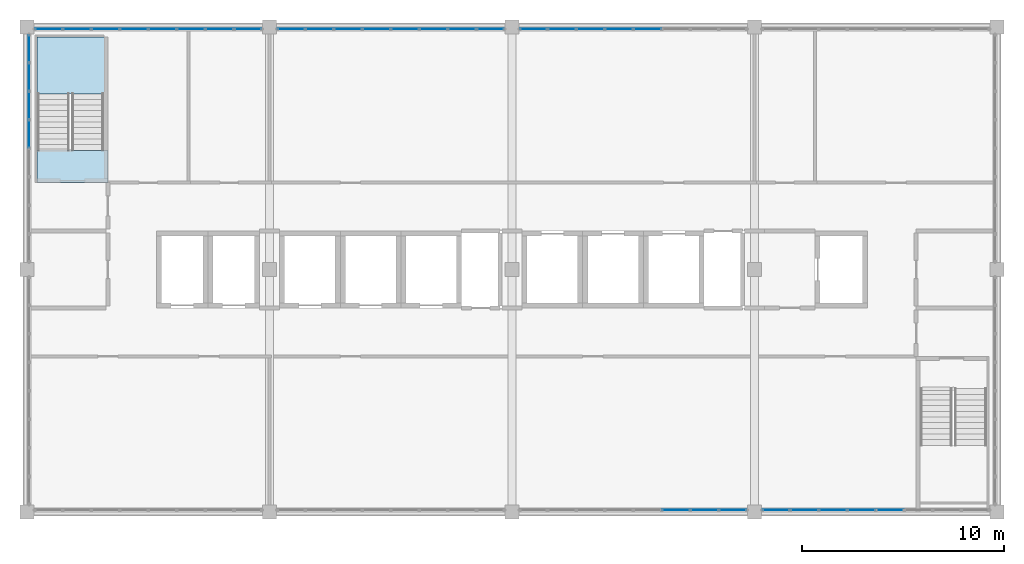
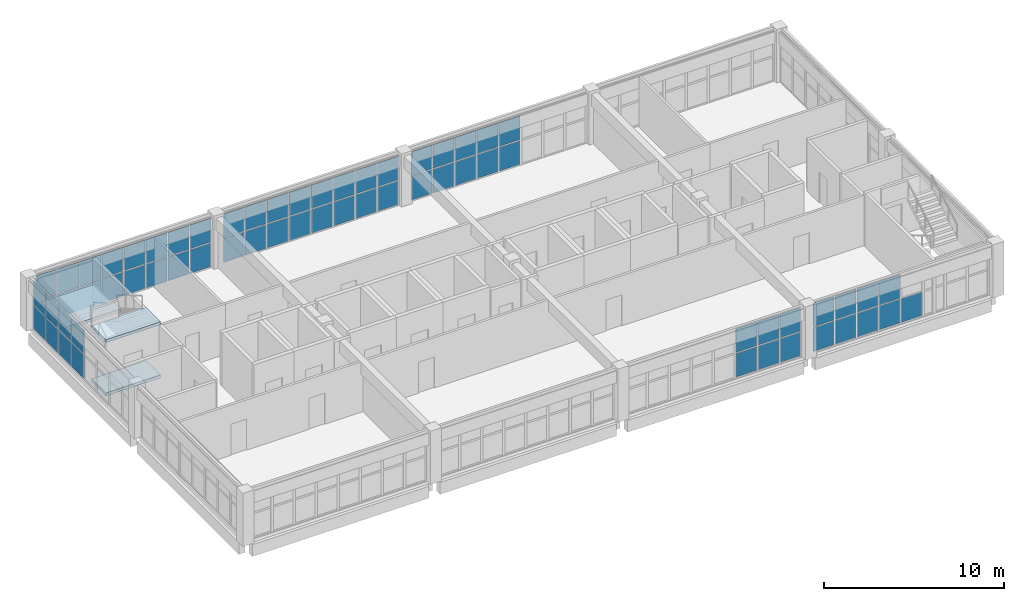
# One storey, part 11 of 16: 65 plates, 3 slabs, 7 elements without a shape of their own.
"""IFC4 building model written with IfcOpenShell, lengths in metres."""

from ifc_helpers import new_model, si_unit, direction, frame, origin, origin_2d, place, context, subcontext, project, spatial, polyline, rectangle, outline, extrude, material, layer, layer_set, type_object, element, aggregate, save


model = new_model("IFC4")

# Units and contexts
model_context = context("Model", 3, precision=1e-05, world=origin(), true_north=direction((0.0, 1.0)))
body_context = subcontext(model_context, "Body", "Model", "MODEL_VIEW")
ifc_project = project(units=[si_unit("LENGTHUNIT", "METRE"), si_unit("AREAUNIT", "SQUARE_METRE"), si_unit("VOLUMEUNIT", "CUBIC_METRE"), si_unit("PLANEANGLEUNIT", "RADIAN"), si_unit("MASSUNIT", "GRAM", prefix="KILO")], contexts=[model_context])

# Site, building, storey
site_placement = place(None, origin())
site = spatial("IfcSite", under=ifc_project, at=site_placement, CompositionType="ELEMENT")
building_placement = place(site_placement, origin())
building = spatial("IfcBuilding", under=site, at=building_placement, Name="Lilac Gate Convention Centre", CompositionType="ELEMENT")
storey_placement = place(building_placement, frame((0.0, 0.0, 67.800048828125)))
storey = spatial("IfcBuildingStorey", under=building, at=storey_placement, Name="L17", CompositionType="ELEMENT", Elevation=67.800048828125)

# Curtain wall, plates
ifc_material_1 = material(Name="Aluminium framed double glazing", Category="aluminium")
ifc_layer_1 = layer(ifc_material_1, 0.199951171875)
ifc_layer_set_1 = layer_set([ifc_layer_1], Name="Aluminium framed double glazing")
curtain_wall_type = type_object("IfcCurtainWallType", Name="Unitised curtain wall 1500", PredefinedType="NOTDEFINED", material=ifc_layer_set_1)
curtain_wall_1_placement = place(storey_placement, origin())
curtain_wall_1 = element("IfcCurtainWall", 1, at=curtain_wall_1_placement, inside=storey, type_object=curtain_wall_type, Name="Curtain wall S L17 3", PredefinedType="NOTDEFINED")
ifc_material_2 = material(Name="Double glazed unit low emissivity")
ifc_layer_2 = layer(ifc_material_2, 0.028076171875)
ifc_layer_set_2 = layer_set([ifc_layer_2], Name="Double glazed unit low emissivity")
plate_type_1 = type_object("IfcPlateType", Name="Curtain wall glass panel 28", PredefinedType="CURTAIN_PANEL", material=ifc_layer_set_2)
plate_1_placement = place(storey_placement, frame((74.11865234375, 222.10009765625, 1.72998046875), z_axis=(0.0, 0.0, 1.0), x_axis=(1.0, 0.0, 0.0)))
plate_1 = element("IfcPlate", 2, at=plate_1_placement, type_object=plate_type_1, Name="CW panel 6.2", PredefinedType="CURTAIN_PANEL", context=body_context, shape_type="SweptSolid", body=[
    extrude(rectangle(XDim=1.3525390625, YDim=0.028076171875, at=origin_2d()), origin(), (0.0, 0.0, 1.0), 1.60986328125),
])
plate_2_placement = place(storey_placement, frame((75.53125, 222.10009765625, 1.72998046875), z_axis=(0.0, 0.0, 1.0), x_axis=(1.0, 0.0, 0.0)))
plate_2 = element("IfcPlate", 3, at=plate_2_placement, type_object=plate_type_1, Name="CW panel 7.2", PredefinedType="CURTAIN_PANEL", context=body_context, shape_type="SweptSolid", body=[
    extrude(rectangle(XDim=1.3525390625, YDim=0.028076171875, at=origin_2d()), origin(), (0.0, 0.0, 1.0), 1.60986328125),
])
plate_3_placement = place(storey_placement, frame((76.9287109375, 222.10009765625, 1.72998046875), z_axis=(0.0, 0.0, 1.0), x_axis=(1.0, 0.0, 0.0)))
plate_3 = element("IfcPlate", 4, at=plate_3_placement, type_object=plate_type_1, Name="CW panel 8.2", PredefinedType="CURTAIN_PANEL", context=body_context, shape_type="SweptSolid", body=[
    extrude(rectangle(XDim=1.322509765625, YDim=0.028076171875, at=origin_2d()), origin(), (0.0, 0.0, 1.0), 1.60986328125),
])

curtain_wall_2_placement = place(storey_placement, origin())
curtain_wall_2 = element("IfcCurtainWall", 5, at=curtain_wall_2_placement, inside=storey, type_object=curtain_wall_type, Name="Curtain wall S L17 4", PredefinedType="NOTDEFINED")
plate_4_placement = place(storey_placement, frame((79.0712890625, 222.10009765625, 1.72998046875), z_axis=(0.0, 0.0, 1.0), x_axis=(1.0, 0.0, 0.0)))
plate_4 = element("IfcPlate", 6, at=plate_4_placement, type_object=plate_type_1, Name="CW panel 1.2", PredefinedType="CURTAIN_PANEL", context=body_context, shape_type="SweptSolid", body=[
    extrude(rectangle(XDim=1.322509765625, YDim=0.028076171875, at=origin_2d()), origin(), (0.0, 0.0, 1.0), 1.60986328125),
])
plate_5_placement = place(storey_placement, frame((80.46875, 222.10009765625, 1.72998046875), z_axis=(0.0, 0.0, 1.0), x_axis=(1.0, 0.0, 0.0)))
plate_5 = element("IfcPlate", 7, at=plate_5_placement, type_object=plate_type_1, Name="CW panel 2.2", PredefinedType="CURTAIN_PANEL", context=body_context, shape_type="SweptSolid", body=[
    extrude(rectangle(XDim=1.3525390625, YDim=0.028076171875, at=origin_2d()), origin(), (0.0, 0.0, 1.0), 1.60986328125),
])
plate_6_placement = place(storey_placement, frame((81.88134765625, 222.10009765625, 1.72998046875), z_axis=(0.0, 0.0, 1.0), x_axis=(1.0, 0.0, 0.0)))
plate_6 = element("IfcPlate", 8, at=plate_6_placement, type_object=plate_type_1, Name="CW panel 3.2", PredefinedType="CURTAIN_PANEL", context=body_context, shape_type="SweptSolid", body=[
    extrude(rectangle(XDim=1.3525390625, YDim=0.028076171875, at=origin_2d()), origin(), (0.0, 0.0, 1.0), 1.60986328125),
])
plate_7_placement = place(storey_placement, frame((83.293701171875, 222.10009765625, 1.72998046875), z_axis=(0.0, 0.0, 1.0), x_axis=(1.0, 0.0, 0.0)))
plate_7 = element("IfcPlate", 9, at=plate_7_placement, type_object=plate_type_1, Name="CW panel 4.2", PredefinedType="CURTAIN_PANEL", context=body_context, shape_type="SweptSolid", body=[
    extrude(rectangle(XDim=1.3525390625, YDim=0.028076171875, at=origin_2d()), origin(), (0.0, 0.0, 1.0), 1.60986328125),
])

curtain_wall_3_placement = place(storey_placement, origin())
curtain_wall_3 = element("IfcCurtainWall", 10, at=curtain_wall_3_placement, inside=storey, type_object=curtain_wall_type, Name="Curtain wall N L17 2", PredefinedType="NOTDEFINED")
plate_8_placement = place(storey_placement, frame((72.706298828125, 245.89990234375, 1.72998046875), z_axis=(0.0, 0.0, 1.0), x_axis=(-1.0, 0.0, 0.0)))
plate_8 = element("IfcPlate", 11, at=plate_8_placement, type_object=plate_type_1, Name="CW panel 4.2", PredefinedType="CURTAIN_PANEL", context=body_context, shape_type="SweptSolid", body=[
    extrude(rectangle(XDim=1.3525390625, YDim=0.028076171875, at=origin_2d()), origin(), (0.0, 0.0, 1.0), 1.60986328125),
])
plate_9_placement = place(storey_placement, frame((71.293701171875, 245.89990234375, 1.72998046875), z_axis=(0.0, 0.0, 1.0), x_axis=(-1.0, 0.0, 0.0)))
plate_9 = element("IfcPlate", 12, at=plate_9_placement, type_object=plate_type_1, Name="CW panel 5.2", PredefinedType="CURTAIN_PANEL", context=body_context, shape_type="SweptSolid", body=[
    extrude(rectangle(XDim=1.3525390625, YDim=0.028076171875, at=origin_2d()), origin(), (0.0, 0.0, 1.0), 1.60986328125),
])
plate_10_placement = place(storey_placement, frame((69.88134765625, 245.89990234375, 1.72998046875), z_axis=(0.0, 0.0, 1.0), x_axis=(-1.0, 0.0, 0.0)))
plate_10 = element("IfcPlate", 13, at=plate_10_placement, type_object=plate_type_1, Name="CW panel 6.2", PredefinedType="CURTAIN_PANEL", context=body_context, shape_type="SweptSolid", body=[
    extrude(rectangle(XDim=1.3525390625, YDim=0.028076171875, at=origin_2d()), origin(), (0.0, 0.0, 1.0), 1.60986328125),
])
plate_11_placement = place(storey_placement, frame((68.46875, 245.89990234375, 1.72998046875), z_axis=(0.0, 0.0, 1.0), x_axis=(-1.0, 0.0, 0.0)))
plate_11 = element("IfcPlate", 14, at=plate_11_placement, type_object=plate_type_1, Name="CW panel 7.2", PredefinedType="CURTAIN_PANEL", context=body_context, shape_type="SweptSolid", body=[
    extrude(rectangle(XDim=1.3525390625, YDim=0.028076171875, at=origin_2d()), origin(), (0.0, 0.0, 1.0), 1.60986328125),
])
plate_12_placement = place(storey_placement, frame((67.0712890625, 245.89990234375, 1.72998046875), z_axis=(0.0, 0.0, 1.0), x_axis=(-1.0, 0.0, 0.0)))
plate_12 = element("IfcPlate", 15, at=plate_12_placement, type_object=plate_type_1, Name="CW panel 8.2", PredefinedType="CURTAIN_PANEL", context=body_context, shape_type="SweptSolid", body=[
    extrude(rectangle(XDim=1.322509765625, YDim=0.028076171875, at=origin_2d()), origin(), (0.0, 0.0, 1.0), 1.60986328125),
])

curtain_wall_4_placement = place(storey_placement, origin())
curtain_wall_4 = element("IfcCurtainWall", 16, at=curtain_wall_4_placement, inside=storey, type_object=curtain_wall_type, Name="Curtain wall N L17 3", PredefinedType="NOTDEFINED")
plate_13_placement = place(storey_placement, frame((64.9287109375, 245.89990234375, 1.72998046875), z_axis=(0.0, 0.0, 1.0), x_axis=(-1.0, 0.0, 0.0)))
plate_13 = element("IfcPlate", 17, at=plate_13_placement, type_object=plate_type_1, Name="CW panel 1.2", PredefinedType="CURTAIN_PANEL", context=body_context, shape_type="SweptSolid", body=[
    extrude(rectangle(XDim=1.322509765625, YDim=0.028076171875, at=origin_2d()), origin(), (0.0, 0.0, 1.0), 1.60986328125),
])
plate_14_placement = place(storey_placement, frame((63.53125, 245.89990234375, 1.72998046875), z_axis=(0.0, 0.0, 1.0), x_axis=(-1.0, 0.0, 0.0)))
plate_14 = element("IfcPlate", 18, at=plate_14_placement, type_object=plate_type_1, Name="CW panel 2.2", PredefinedType="CURTAIN_PANEL", context=body_context, shape_type="SweptSolid", body=[
    extrude(rectangle(XDim=1.3525390625, YDim=0.028076171875, at=origin_2d()), origin(), (0.0, 0.0, 1.0), 1.60986328125),
])
plate_15_placement = place(storey_placement, frame((62.11865234375, 245.89990234375, 1.72998046875), z_axis=(0.0, 0.0, 1.0), x_axis=(-1.0, 0.0, 0.0)))
plate_15 = element("IfcPlate", 19, at=plate_15_placement, type_object=plate_type_1, Name="CW panel 3.2", PredefinedType="CURTAIN_PANEL", context=body_context, shape_type="SweptSolid", body=[
    extrude(rectangle(XDim=1.3525390625, YDim=0.028076171875, at=origin_2d()), origin(), (0.0, 0.0, 1.0), 1.60986328125),
])
plate_16_placement = place(storey_placement, frame((60.706298828125, 245.89990234375, 1.72998046875), z_axis=(0.0, 0.0, 1.0), x_axis=(-1.0, 0.0, 0.0)))
plate_16 = element("IfcPlate", 20, at=plate_16_placement, type_object=plate_type_1, Name="CW panel 4.2", PredefinedType="CURTAIN_PANEL", context=body_context, shape_type="SweptSolid", body=[
    extrude(rectangle(XDim=1.3525390625, YDim=0.028076171875, at=origin_2d()), origin(), (0.0, 0.0, 1.0), 1.60986328125),
])
plate_17_placement = place(storey_placement, frame((59.293701171875, 245.89990234375, 1.72998046875), z_axis=(0.0, 0.0, 1.0), x_axis=(-1.0, 0.0, 0.0)))
plate_17 = element("IfcPlate", 21, at=plate_17_placement, type_object=plate_type_1, Name="CW panel 5.2", PredefinedType="CURTAIN_PANEL", context=body_context, shape_type="SweptSolid", body=[
    extrude(rectangle(XDim=1.3525390625, YDim=0.028076171875, at=origin_2d()), origin(), (0.0, 0.0, 1.0), 1.60986328125),
])
plate_18_placement = place(storey_placement, frame((57.88134765625, 245.89990234375, 1.72998046875), z_axis=(0.0, 0.0, 1.0), x_axis=(-1.0, 0.0, 0.0)))
plate_18 = element("IfcPlate", 22, at=plate_18_placement, type_object=plate_type_1, Name="CW panel 6.2", PredefinedType="CURTAIN_PANEL", context=body_context, shape_type="SweptSolid", body=[
    extrude(rectangle(XDim=1.3525390625, YDim=0.028076171875, at=origin_2d()), origin(), (0.0, 0.0, 1.0), 1.60986328125),
])
plate_19_placement = place(storey_placement, frame((56.46875, 245.89990234375, 1.72998046875), z_axis=(0.0, 0.0, 1.0), x_axis=(-1.0, 0.0, 0.0)))
plate_19 = element("IfcPlate", 23, at=plate_19_placement, type_object=plate_type_1, Name="CW panel 7.2", PredefinedType="CURTAIN_PANEL", context=body_context, shape_type="SweptSolid", body=[
    extrude(rectangle(XDim=1.3525390625, YDim=0.028076171875, at=origin_2d()), origin(), (0.0, 0.0, 1.0), 1.60986328125),
])
plate_20_placement = place(storey_placement, frame((55.0712890625, 245.89990234375, 1.72998046875), z_axis=(0.0, 0.0, 1.0), x_axis=(-1.0, 0.0, 0.0)))
plate_20 = element("IfcPlate", 24, at=plate_20_placement, type_object=plate_type_1, Name="CW panel 8.2", PredefinedType="CURTAIN_PANEL", context=body_context, shape_type="SweptSolid", body=[
    extrude(rectangle(XDim=1.322509765625, YDim=0.028076171875, at=origin_2d()), origin(), (0.0, 0.0, 1.0), 1.60986328125),
])

curtain_wall_5_placement = place(storey_placement, origin())
curtain_wall_5 = element("IfcCurtainWall", 25, at=curtain_wall_5_placement, inside=storey, type_object=curtain_wall_type, Name="Curtain wall N L17 4", PredefinedType="NOTDEFINED")
plate_21_placement = place(storey_placement, frame((52.9287109375, 245.89990234375, 1.72998046875), z_axis=(0.0, 0.0, 1.0), x_axis=(-1.0, 0.0, 0.0)))
plate_21 = element("IfcPlate", 26, at=plate_21_placement, type_object=plate_type_1, Name="CW panel 1.2", PredefinedType="CURTAIN_PANEL", context=body_context, shape_type="SweptSolid", body=[
    extrude(rectangle(XDim=1.322509765625, YDim=0.028076171875, at=origin_2d()), origin(), (0.0, 0.0, 1.0), 1.60986328125),
])
plate_22_placement = place(storey_placement, frame((51.53125, 245.89990234375, 1.72998046875), z_axis=(0.0, 0.0, 1.0), x_axis=(-1.0, 0.0, 0.0)))
plate_22 = element("IfcPlate", 27, at=plate_22_placement, type_object=plate_type_1, Name="CW panel 2.2", PredefinedType="CURTAIN_PANEL", context=body_context, shape_type="SweptSolid", body=[
    extrude(rectangle(XDim=1.3525390625, YDim=0.028076171875, at=origin_2d()), origin(), (0.0, 0.0, 1.0), 1.60986328125),
])
plate_23_placement = place(storey_placement, frame((50.11865234375, 245.89990234375, 1.72998046875), z_axis=(0.0, 0.0, 1.0), x_axis=(-1.0, 0.0, 0.0)))
plate_23 = element("IfcPlate", 28, at=plate_23_placement, type_object=plate_type_1, Name="CW panel 3.2", PredefinedType="CURTAIN_PANEL", context=body_context, shape_type="SweptSolid", body=[
    extrude(rectangle(XDim=1.3525390625, YDim=0.028076171875, at=origin_2d()), origin(), (0.0, 0.0, 1.0), 1.60986328125),
])
plate_24_placement = place(storey_placement, frame((48.706298828125, 245.89990234375, 1.72998046875), z_axis=(0.0, 0.0, 1.0), x_axis=(-1.0, 0.0, 0.0)))
plate_24 = element("IfcPlate", 29, at=plate_24_placement, type_object=plate_type_1, Name="CW panel 4.2", PredefinedType="CURTAIN_PANEL", context=body_context, shape_type="SweptSolid", body=[
    extrude(rectangle(XDim=1.3525390625, YDim=0.028076171875, at=origin_2d()), origin(), (0.0, 0.0, 1.0), 1.60986328125),
])
plate_25_placement = place(storey_placement, frame((47.293701171875, 245.89990234375, 1.72998046875), z_axis=(0.0, 0.0, 1.0), x_axis=(-1.0, 0.0, 0.0)))
plate_25 = element("IfcPlate", 30, at=plate_25_placement, type_object=plate_type_1, Name="CW panel 5.2", PredefinedType="CURTAIN_PANEL", context=body_context, shape_type="SweptSolid", body=[
    extrude(rectangle(XDim=1.3525390625, YDim=0.028076171875, at=origin_2d()), origin(), (0.0, 0.0, 1.0), 1.60986328125),
])
plate_26_placement = place(storey_placement, frame((45.88134765625, 245.89990234375, 1.72998046875), z_axis=(0.0, 0.0, 1.0), x_axis=(-1.0, 0.0, 0.0)))
plate_26 = element("IfcPlate", 31, at=plate_26_placement, type_object=plate_type_1, Name="CW panel 6.2", PredefinedType="CURTAIN_PANEL", context=body_context, shape_type="SweptSolid", body=[
    extrude(rectangle(XDim=1.3525390625, YDim=0.028076171875, at=origin_2d()), origin(), (0.0, 0.0, 1.0), 1.60986328125),
])
plate_27_placement = place(storey_placement, frame((44.46875, 245.89990234375, 1.72998046875), z_axis=(0.0, 0.0, 1.0), x_axis=(-1.0, 0.0, 0.0)))
plate_27 = element("IfcPlate", 32, at=plate_27_placement, type_object=plate_type_1, Name="CW panel 7.2", PredefinedType="CURTAIN_PANEL", context=body_context, shape_type="SweptSolid", body=[
    extrude(rectangle(XDim=1.3525390625, YDim=0.028076171875, at=origin_2d()), origin(), (0.0, 0.0, 1.0), 1.60986328125),
])
plate_28_placement = place(storey_placement, frame((43.0712890625, 245.89990234375, 1.72998046875), z_axis=(0.0, 0.0, 1.0), x_axis=(-1.0, 0.0, 0.0)))
plate_28 = element("IfcPlate", 33, at=plate_28_placement, type_object=plate_type_1, Name="CW panel 8.2", PredefinedType="CURTAIN_PANEL", context=body_context, shape_type="SweptSolid", body=[
    extrude(rectangle(XDim=1.322509765625, YDim=0.028076171875, at=origin_2d()), origin(), (0.0, 0.0, 1.0), 1.60986328125),
])

curtain_wall_6_placement = place(storey_placement, origin())
curtain_wall_6 = element("IfcCurtainWall", 34, at=curtain_wall_6_placement, inside=storey, type_object=curtain_wall_type, Name="Curtain wall W L17 1", PredefinedType="NOTDEFINED")
plate_29_placement = place(storey_placement, frame((42.10009765625, 244.9287109375, 1.72998046875), z_axis=(0.0, 0.0, 1.0), x_axis=(0.0, -1.0, 0.0)))
plate_29 = element("IfcPlate", 35, at=plate_29_placement, type_object=plate_type_1, Name="CW panel 1.2", PredefinedType="CURTAIN_PANEL", context=body_context, shape_type="SweptSolid", body=[
    extrude(rectangle(XDim=1.322509765625, YDim=0.028076171875, at=origin_2d()), origin(), (0.0, 0.0, 1.0), 1.60986328125),
])
plate_30_placement = place(storey_placement, frame((42.10009765625, 243.53125, 1.72998046875), z_axis=(0.0, 0.0, 1.0), x_axis=(0.0, -1.0, 0.0)))
plate_30 = element("IfcPlate", 36, at=plate_30_placement, type_object=plate_type_1, Name="CW panel 2.2", PredefinedType="CURTAIN_PANEL", context=body_context, shape_type="SweptSolid", body=[
    extrude(rectangle(XDim=1.3525390625, YDim=0.028076171875, at=origin_2d()), origin(), (0.0, 0.0, 1.0), 1.60986328125),
])
plate_31_placement = place(storey_placement, frame((42.10009765625, 242.11865234375, 1.72998046875), z_axis=(0.0, 0.0, 1.0), x_axis=(0.0, -1.0, 0.0)))
plate_31 = element("IfcPlate", 37, at=plate_31_placement, type_object=plate_type_1, Name="CW panel 3.2", PredefinedType="CURTAIN_PANEL", context=body_context, shape_type="SweptSolid", body=[
    extrude(rectangle(XDim=1.3525390625, YDim=0.028076171875, at=origin_2d()), origin(), (0.0, 0.0, 1.0), 1.60986328125),
])
plate_32_placement = place(storey_placement, frame((42.10009765625, 240.706298828125, 1.72998046875), z_axis=(0.0, 0.0, 1.0), x_axis=(0.0, -1.0, 0.0)))
plate_32 = element("IfcPlate", 38, at=plate_32_placement, type_object=plate_type_1, Name="CW panel 4.2", PredefinedType="CURTAIN_PANEL", context=body_context, shape_type="SweptSolid", body=[
    extrude(rectangle(XDim=1.3525390625, YDim=0.028076171875, at=origin_2d()), origin(), (0.0, 0.0, 1.0), 1.60986328125),
])

# Plate
ifc_material_3 = material(Name="Insulated aluminium spandrel panel", Category="aluminium")
ifc_layer_3 = layer(ifc_material_3, 0.028076171875)
ifc_layer_set_3 = layer_set([ifc_layer_3], Name="Insulated aluminium spandrel panel")
plate_type_2 = type_object("IfcPlateType", Name="Curtain wall spandrel panel 28", PredefinedType="CURTAIN_PANEL", material=ifc_layer_set_3)
plate_33_placement = place(storey_placement, frame((74.11865234375, 222.10009765625, 0.06005859375), z_axis=(0.0, 0.0, 1.0), x_axis=(1.0, 0.0, 0.0)))
plate_33 = element("IfcPlate", 39, at=plate_33_placement, type_object=plate_type_2, Name="CW spandrel 6.1", PredefinedType="CURTAIN_PANEL", context=body_context, shape_type="SweptSolid", body=[
    extrude(rectangle(XDim=1.3525390625, YDim=0.028076171875, at=origin_2d()), origin(), (0.0, 0.0, 1.0), 1.60986328125),
])

plate_34_placement = place(storey_placement, frame((75.53125, 222.10009765625, 0.06005859375), z_axis=(0.0, 0.0, 1.0), x_axis=(1.0, 0.0, 0.0)))
plate_34 = element("IfcPlate", 40, at=plate_34_placement, type_object=plate_type_2, Name="CW spandrel 7.1", PredefinedType="CURTAIN_PANEL", context=body_context, shape_type="SweptSolid", body=[
    extrude(rectangle(XDim=1.3525390625, YDim=0.028076171875, at=origin_2d()), origin(), (0.0, 0.0, 1.0), 1.60986328125),
])

plate_35_placement = place(storey_placement, frame((76.9287109375, 222.10009765625, 0.06005859375), z_axis=(0.0, 0.0, 1.0), x_axis=(1.0, 0.0, 0.0)))
plate_35 = element("IfcPlate", 41, at=plate_35_placement, type_object=plate_type_2, Name="CW spandrel 8.1", PredefinedType="CURTAIN_PANEL", context=body_context, shape_type="SweptSolid", body=[
    extrude(rectangle(XDim=1.322509765625, YDim=0.028076171875, at=origin_2d()), origin(), (0.0, 0.0, 1.0), 1.60986328125),
])

aggregate(curtain_wall_1, [plate_33, plate_1, plate_34, plate_2, plate_35, plate_3])

plate_36_placement = place(storey_placement, frame((79.0712890625, 222.10009765625, 0.06005859375), z_axis=(0.0, 0.0, 1.0), x_axis=(1.0, 0.0, 0.0)))
plate_36 = element("IfcPlate", 42, at=plate_36_placement, type_object=plate_type_2, Name="CW spandrel 1.1", PredefinedType="CURTAIN_PANEL", context=body_context, shape_type="SweptSolid", body=[
    extrude(rectangle(XDim=1.322509765625, YDim=0.028076171875, at=origin_2d()), origin(), (0.0, 0.0, 1.0), 1.60986328125),
])

plate_37_placement = place(storey_placement, frame((80.46875, 222.10009765625, 0.06005859375), z_axis=(0.0, 0.0, 1.0), x_axis=(1.0, 0.0, 0.0)))
plate_37 = element("IfcPlate", 43, at=plate_37_placement, type_object=plate_type_2, Name="CW spandrel 2.1", PredefinedType="CURTAIN_PANEL", context=body_context, shape_type="SweptSolid", body=[
    extrude(rectangle(XDim=1.3525390625, YDim=0.028076171875, at=origin_2d()), origin(), (0.0, 0.0, 1.0), 1.60986328125),
])

plate_38_placement = place(storey_placement, frame((81.88134765625, 222.10009765625, 0.06005859375), z_axis=(0.0, 0.0, 1.0), x_axis=(1.0, 0.0, 0.0)))
plate_38 = element("IfcPlate", 44, at=plate_38_placement, type_object=plate_type_2, Name="CW spandrel 3.1", PredefinedType="CURTAIN_PANEL", context=body_context, shape_type="SweptSolid", body=[
    extrude(rectangle(XDim=1.3525390625, YDim=0.028076171875, at=origin_2d()), origin(), (0.0, 0.0, 1.0), 1.60986328125),
])

plate_39_placement = place(storey_placement, frame((83.293701171875, 222.10009765625, 0.06005859375), z_axis=(0.0, 0.0, 1.0), x_axis=(1.0, 0.0, 0.0)))
plate_39 = element("IfcPlate", 45, at=plate_39_placement, type_object=plate_type_2, Name="CW spandrel 4.1", PredefinedType="CURTAIN_PANEL", context=body_context, shape_type="SweptSolid", body=[
    extrude(rectangle(XDim=1.3525390625, YDim=0.028076171875, at=origin_2d()), origin(), (0.0, 0.0, 1.0), 1.60986328125),
])

plate_40_placement = place(storey_placement, frame((84.706298828125, 222.10009765625, 0.06005859375), z_axis=(0.0, 0.0, 1.0), x_axis=(1.0, 0.0, 0.0)))
plate_40 = element("IfcPlate", 46, at=plate_40_placement, type_object=plate_type_2, Name="CW spandrel 5.1", PredefinedType="CURTAIN_PANEL", context=body_context, shape_type="SweptSolid", body=[
    extrude(rectangle(XDim=1.3525390625, YDim=0.028076171875, at=origin_2d()), origin(), (0.0, 0.0, 1.0), 1.60986328125),
])

aggregate(curtain_wall_2, [plate_36, plate_4, plate_37, plate_5, plate_38, plate_6, plate_39, plate_7, plate_40])

plate_41_placement = place(storey_placement, frame((72.706298828125, 245.89990234375, 0.06005859375), z_axis=(0.0, 0.0, 1.0), x_axis=(-1.0, 0.0, 0.0)))
plate_41 = element("IfcPlate", 47, at=plate_41_placement, type_object=plate_type_2, Name="CW spandrel 4.1", PredefinedType="CURTAIN_PANEL", context=body_context, shape_type="SweptSolid", body=[
    extrude(rectangle(XDim=1.3525390625, YDim=0.028076171875, at=origin_2d()), origin(), (0.0, 0.0, 1.0), 1.60986328125),
])

plate_42_placement = place(storey_placement, frame((71.293701171875, 245.89990234375, 0.06005859375), z_axis=(0.0, 0.0, 1.0), x_axis=(-1.0, 0.0, 0.0)))
plate_42 = element("IfcPlate", 48, at=plate_42_placement, type_object=plate_type_2, Name="CW spandrel 5.1", PredefinedType="CURTAIN_PANEL", context=body_context, shape_type="SweptSolid", body=[
    extrude(rectangle(XDim=1.3525390625, YDim=0.028076171875, at=origin_2d()), origin(), (0.0, 0.0, 1.0), 1.60986328125),
])

plate_43_placement = place(storey_placement, frame((69.88134765625, 245.89990234375, 0.06005859375), z_axis=(0.0, 0.0, 1.0), x_axis=(-1.0, 0.0, 0.0)))
plate_43 = element("IfcPlate", 49, at=plate_43_placement, type_object=plate_type_2, Name="CW spandrel 6.1", PredefinedType="CURTAIN_PANEL", context=body_context, shape_type="SweptSolid", body=[
    extrude(rectangle(XDim=1.3525390625, YDim=0.028076171875, at=origin_2d()), origin(), (0.0, 0.0, 1.0), 1.60986328125),
])

plate_44_placement = place(storey_placement, frame((68.46875, 245.89990234375, 0.06005859375), z_axis=(0.0, 0.0, 1.0), x_axis=(-1.0, 0.0, 0.0)))
plate_44 = element("IfcPlate", 50, at=plate_44_placement, type_object=plate_type_2, Name="CW spandrel 7.1", PredefinedType="CURTAIN_PANEL", context=body_context, shape_type="SweptSolid", body=[
    extrude(rectangle(XDim=1.3525390625, YDim=0.028076171875, at=origin_2d()), origin(), (0.0, 0.0, 1.0), 1.60986328125),
])

plate_45_placement = place(storey_placement, frame((67.0712890625, 245.89990234375, 0.06005859375), z_axis=(0.0, 0.0, 1.0), x_axis=(-1.0, 0.0, 0.0)))
plate_45 = element("IfcPlate", 51, at=plate_45_placement, type_object=plate_type_2, Name="CW spandrel 8.1", PredefinedType="CURTAIN_PANEL", context=body_context, shape_type="SweptSolid", body=[
    extrude(rectangle(XDim=1.322509765625, YDim=0.028076171875, at=origin_2d()), origin(), (0.0, 0.0, 1.0), 1.60986328125),
])

aggregate(curtain_wall_3, [plate_41, plate_8, plate_42, plate_9, plate_43, plate_10, plate_44, plate_11, plate_45, plate_12])

plate_46_placement = place(storey_placement, frame((64.9287109375, 245.89990234375, 0.06005859375), z_axis=(0.0, 0.0, 1.0), x_axis=(-1.0, 0.0, 0.0)))
plate_46 = element("IfcPlate", 52, at=plate_46_placement, type_object=plate_type_2, Name="CW spandrel 1.1", PredefinedType="CURTAIN_PANEL", context=body_context, shape_type="SweptSolid", body=[
    extrude(rectangle(XDim=1.322509765625, YDim=0.028076171875, at=origin_2d()), origin(), (0.0, 0.0, 1.0), 1.60986328125),
])

plate_47_placement = place(storey_placement, frame((63.53125, 245.89990234375, 0.06005859375), z_axis=(0.0, 0.0, 1.0), x_axis=(-1.0, 0.0, 0.0)))
plate_47 = element("IfcPlate", 53, at=plate_47_placement, type_object=plate_type_2, Name="CW spandrel 2.1", PredefinedType="CURTAIN_PANEL", context=body_context, shape_type="SweptSolid", body=[
    extrude(rectangle(XDim=1.3525390625, YDim=0.028076171875, at=origin_2d()), origin(), (0.0, 0.0, 1.0), 1.60986328125),
])

plate_48_placement = place(storey_placement, frame((62.11865234375, 245.89990234375, 0.06005859375), z_axis=(0.0, 0.0, 1.0), x_axis=(-1.0, 0.0, 0.0)))
plate_48 = element("IfcPlate", 54, at=plate_48_placement, type_object=plate_type_2, Name="CW spandrel 3.1", PredefinedType="CURTAIN_PANEL", context=body_context, shape_type="SweptSolid", body=[
    extrude(rectangle(XDim=1.3525390625, YDim=0.028076171875, at=origin_2d()), origin(), (0.0, 0.0, 1.0), 1.60986328125),
])

plate_49_placement = place(storey_placement, frame((60.706298828125, 245.89990234375, 0.06005859375), z_axis=(0.0, 0.0, 1.0), x_axis=(-1.0, 0.0, 0.0)))
plate_49 = element("IfcPlate", 55, at=plate_49_placement, type_object=plate_type_2, Name="CW spandrel 4.1", PredefinedType="CURTAIN_PANEL", context=body_context, shape_type="SweptSolid", body=[
    extrude(rectangle(XDim=1.3525390625, YDim=0.028076171875, at=origin_2d()), origin(), (0.0, 0.0, 1.0), 1.60986328125),
])

plate_50_placement = place(storey_placement, frame((59.293701171875, 245.89990234375, 0.06005859375), z_axis=(0.0, 0.0, 1.0), x_axis=(-1.0, 0.0, 0.0)))
plate_50 = element("IfcPlate", 56, at=plate_50_placement, type_object=plate_type_2, Name="CW spandrel 5.1", PredefinedType="CURTAIN_PANEL", context=body_context, shape_type="SweptSolid", body=[
    extrude(rectangle(XDim=1.3525390625, YDim=0.028076171875, at=origin_2d()), origin(), (0.0, 0.0, 1.0), 1.60986328125),
])

plate_51_placement = place(storey_placement, frame((57.88134765625, 245.89990234375, 0.06005859375), z_axis=(0.0, 0.0, 1.0), x_axis=(-1.0, 0.0, 0.0)))
plate_51 = element("IfcPlate", 57, at=plate_51_placement, type_object=plate_type_2, Name="CW spandrel 6.1", PredefinedType="CURTAIN_PANEL", context=body_context, shape_type="SweptSolid", body=[
    extrude(rectangle(XDim=1.3525390625, YDim=0.028076171875, at=origin_2d()), origin(), (0.0, 0.0, 1.0), 1.60986328125),
])

plate_52_placement = place(storey_placement, frame((56.46875, 245.89990234375, 0.06005859375), z_axis=(0.0, 0.0, 1.0), x_axis=(-1.0, 0.0, 0.0)))
plate_52 = element("IfcPlate", 58, at=plate_52_placement, type_object=plate_type_2, Name="CW spandrel 7.1", PredefinedType="CURTAIN_PANEL", context=body_context, shape_type="SweptSolid", body=[
    extrude(rectangle(XDim=1.3525390625, YDim=0.028076171875, at=origin_2d()), origin(), (0.0, 0.0, 1.0), 1.60986328125),
])

plate_53_placement = place(storey_placement, frame((55.0712890625, 245.89990234375, 0.06005859375), z_axis=(0.0, 0.0, 1.0), x_axis=(-1.0, 0.0, 0.0)))
plate_53 = element("IfcPlate", 59, at=plate_53_placement, type_object=plate_type_2, Name="CW spandrel 8.1", PredefinedType="CURTAIN_PANEL", context=body_context, shape_type="SweptSolid", body=[
    extrude(rectangle(XDim=1.322509765625, YDim=0.028076171875, at=origin_2d()), origin(), (0.0, 0.0, 1.0), 1.60986328125),
])

aggregate(curtain_wall_4, [plate_46, plate_13, plate_47, plate_14, plate_48, plate_15, plate_49, plate_16, plate_50, plate_17, plate_51, plate_18, plate_52, plate_19, plate_53, plate_20])

plate_54_placement = place(storey_placement, frame((52.9287109375, 245.89990234375, 0.06005859375), z_axis=(0.0, 0.0, 1.0), x_axis=(-1.0, 0.0, 0.0)))
plate_54 = element("IfcPlate", 60, at=plate_54_placement, type_object=plate_type_2, Name="CW spandrel 1.1", PredefinedType="CURTAIN_PANEL", context=body_context, shape_type="SweptSolid", body=[
    extrude(rectangle(XDim=1.322509765625, YDim=0.028076171875, at=origin_2d()), origin(), (0.0, 0.0, 1.0), 1.60986328125),
])

plate_55_placement = place(storey_placement, frame((51.53125, 245.89990234375, 0.06005859375), z_axis=(0.0, 0.0, 1.0), x_axis=(-1.0, 0.0, 0.0)))
plate_55 = element("IfcPlate", 61, at=plate_55_placement, type_object=plate_type_2, Name="CW spandrel 2.1", PredefinedType="CURTAIN_PANEL", context=body_context, shape_type="SweptSolid", body=[
    extrude(rectangle(XDim=1.3525390625, YDim=0.028076171875, at=origin_2d()), origin(), (0.0, 0.0, 1.0), 1.60986328125),
])

plate_56_placement = place(storey_placement, frame((50.11865234375, 245.89990234375, 0.06005859375), z_axis=(0.0, 0.0, 1.0), x_axis=(-1.0, 0.0, 0.0)))
plate_56 = element("IfcPlate", 62, at=plate_56_placement, type_object=plate_type_2, Name="CW spandrel 3.1", PredefinedType="CURTAIN_PANEL", context=body_context, shape_type="SweptSolid", body=[
    extrude(rectangle(XDim=1.3525390625, YDim=0.028076171875, at=origin_2d()), origin(), (0.0, 0.0, 1.0), 1.60986328125),
])

plate_57_placement = place(storey_placement, frame((48.706298828125, 245.89990234375, 0.06005859375), z_axis=(0.0, 0.0, 1.0), x_axis=(-1.0, 0.0, 0.0)))
plate_57 = element("IfcPlate", 63, at=plate_57_placement, type_object=plate_type_2, Name="CW spandrel 4.1", PredefinedType="CURTAIN_PANEL", context=body_context, shape_type="SweptSolid", body=[
    extrude(rectangle(XDim=1.3525390625, YDim=0.028076171875, at=origin_2d()), origin(), (0.0, 0.0, 1.0), 1.60986328125),
])

plate_58_placement = place(storey_placement, frame((47.293701171875, 245.89990234375, 0.06005859375), z_axis=(0.0, 0.0, 1.0), x_axis=(-1.0, 0.0, 0.0)))
plate_58 = element("IfcPlate", 64, at=plate_58_placement, type_object=plate_type_2, Name="CW spandrel 5.1", PredefinedType="CURTAIN_PANEL", context=body_context, shape_type="SweptSolid", body=[
    extrude(rectangle(XDim=1.3525390625, YDim=0.028076171875, at=origin_2d()), origin(), (0.0, 0.0, 1.0), 1.60986328125),
])

plate_59_placement = place(storey_placement, frame((45.88134765625, 245.89990234375, 0.06005859375), z_axis=(0.0, 0.0, 1.0), x_axis=(-1.0, 0.0, 0.0)))
plate_59 = element("IfcPlate", 65, at=plate_59_placement, type_object=plate_type_2, Name="CW spandrel 6.1", PredefinedType="CURTAIN_PANEL", context=body_context, shape_type="SweptSolid", body=[
    extrude(rectangle(XDim=1.3525390625, YDim=0.028076171875, at=origin_2d()), origin(), (0.0, 0.0, 1.0), 1.60986328125),
])

plate_60_placement = place(storey_placement, frame((44.46875, 245.89990234375, 0.06005859375), z_axis=(0.0, 0.0, 1.0), x_axis=(-1.0, 0.0, 0.0)))
plate_60 = element("IfcPlate", 66, at=plate_60_placement, type_object=plate_type_2, Name="CW spandrel 7.1", PredefinedType="CURTAIN_PANEL", context=body_context, shape_type="SweptSolid", body=[
    extrude(rectangle(XDim=1.3525390625, YDim=0.028076171875, at=origin_2d()), origin(), (0.0, 0.0, 1.0), 1.60986328125),
])

plate_61_placement = place(storey_placement, frame((43.0712890625, 245.89990234375, 0.06005859375), z_axis=(0.0, 0.0, 1.0), x_axis=(-1.0, 0.0, 0.0)))
plate_61 = element("IfcPlate", 67, at=plate_61_placement, type_object=plate_type_2, Name="CW spandrel 8.1", PredefinedType="CURTAIN_PANEL", context=body_context, shape_type="SweptSolid", body=[
    extrude(rectangle(XDim=1.322509765625, YDim=0.028076171875, at=origin_2d()), origin(), (0.0, 0.0, 1.0), 1.60986328125),
])

aggregate(curtain_wall_5, [plate_54, plate_21, plate_55, plate_22, plate_56, plate_23, plate_57, plate_24, plate_58, plate_25, plate_59, plate_26, plate_60, plate_27, plate_61, plate_28])

plate_62_placement = place(storey_placement, frame((42.10009765625, 244.9287109375, 0.06005859375), z_axis=(0.0, 0.0, 1.0), x_axis=(0.0, -1.0, 0.0)))
plate_62 = element("IfcPlate", 68, at=plate_62_placement, type_object=plate_type_2, Name="CW spandrel 1.1", PredefinedType="CURTAIN_PANEL", context=body_context, shape_type="SweptSolid", body=[
    extrude(rectangle(XDim=1.322509765625, YDim=0.028076171875, at=origin_2d()), origin(), (0.0, 0.0, 1.0), 1.60986328125),
])

plate_63_placement = place(storey_placement, frame((42.10009765625, 243.53125, 0.06005859375), z_axis=(0.0, 0.0, 1.0), x_axis=(0.0, -1.0, 0.0)))
plate_63 = element("IfcPlate", 69, at=plate_63_placement, type_object=plate_type_2, Name="CW spandrel 2.1", PredefinedType="CURTAIN_PANEL", context=body_context, shape_type="SweptSolid", body=[
    extrude(rectangle(XDim=1.3525390625, YDim=0.028076171875, at=origin_2d()), origin(), (0.0, 0.0, 1.0), 1.60986328125),
])

plate_64_placement = place(storey_placement, frame((42.10009765625, 242.11865234375, 0.06005859375), z_axis=(0.0, 0.0, 1.0), x_axis=(0.0, -1.0, 0.0)))
plate_64 = element("IfcPlate", 70, at=plate_64_placement, type_object=plate_type_2, Name="CW spandrel 3.1", PredefinedType="CURTAIN_PANEL", context=body_context, shape_type="SweptSolid", body=[
    extrude(rectangle(XDim=1.3525390625, YDim=0.028076171875, at=origin_2d()), origin(), (0.0, 0.0, 1.0), 1.60986328125),
])

plate_65_placement = place(storey_placement, frame((42.10009765625, 240.706298828125, 0.06005859375), z_axis=(0.0, 0.0, 1.0), x_axis=(0.0, -1.0, 0.0)))
plate_65 = element("IfcPlate", 71, at=plate_65_placement, type_object=plate_type_2, Name="CW spandrel 4.1", PredefinedType="CURTAIN_PANEL", context=body_context, shape_type="SweptSolid", body=[
    extrude(rectangle(XDim=1.3525390625, YDim=0.028076171875, at=origin_2d()), origin(), (0.0, 0.0, 1.0), 1.60986328125),
])

aggregate(curtain_wall_6, [plate_62, plate_29, plate_63, plate_30, plate_64, plate_31, plate_65, plate_32])

# Stair, slabs
ifc_material_4 = material(Name="Concrete C40", Category="concrete")
stair_type = type_object("IfcStairType", Name="Exit stair", PredefinedType="DOUBLE_RETURN_STAIR", material=ifc_material_4)
stair_placement = place(storey_placement, origin())
stair = element("IfcStair", 72, at=stair_placement, inside=storey, type_object=stair_type, Name="Exit stair NW L17", PredefinedType="DOUBLE_RETURN_STAIR")
ifc_layer_4 = layer(ifc_material_4, 0.199951171875)
ifc_layer_set_4 = layer_set([ifc_layer_4], Name="Concrete C40")
slab_type = type_object("IfcSlabType", Name="Exit stair landing", PredefinedType="LANDING", material=ifc_layer_set_4)
slab_1_placement = place(storey_placement, frame((0.0, 0.0, -0.199951171875)))
slab_1 = element("IfcSlab", 73, at=slab_1_placement, type_object=slab_type, Name="ST-NW landing 1", PredefinedType="LANDING", context=body_context, shape_type="SweptSolid", body=[
    extrude(outline(polyline([(42.5, 238.300048828125), (46.0, 238.300048828125), (46.0, 239.89990234375), (42.5, 239.89990234375), (42.5, 238.300048828125)])), origin(), (0.0, 0.0, 1.0), 0.199951171875),
])
slab_2_placement = place(storey_placement, frame((0.0, 0.0, 1.599853515625)))
slab_2 = element("IfcSlab", 74, at=slab_2_placement, type_object=slab_type, Name="ST-NW landing 2", PredefinedType="LANDING", context=body_context, shape_type="SweptSolid", body=[
    extrude(outline(polyline([(42.5, 242.699951171875), (46.0, 242.699951171875), (46.0, 245.5), (42.5, 245.5), (42.5, 242.699951171875)])), origin(), (0.0, 0.0, 1.0), 0.2001953125),
])
slab_3_placement = place(storey_placement, frame((0.0, 0.0, 3.39990234375)))
slab_3 = element("IfcSlab", 75, at=slab_3_placement, type_object=slab_type, Name="ST-NW landing 3", PredefinedType="LANDING", context=body_context, shape_type="SweptSolid", body=[
    extrude(outline(polyline([(42.5, 238.300048828125), (46.0, 238.300048828125), (46.0, 239.89990234375), (42.5, 239.89990234375), (42.5, 238.300048828125)])), origin(), (0.0, 0.0, 1.0), 0.199951171875),
])
aggregate(stair, [slab_1, slab_2, slab_3])

save(model, "model.ifc")
